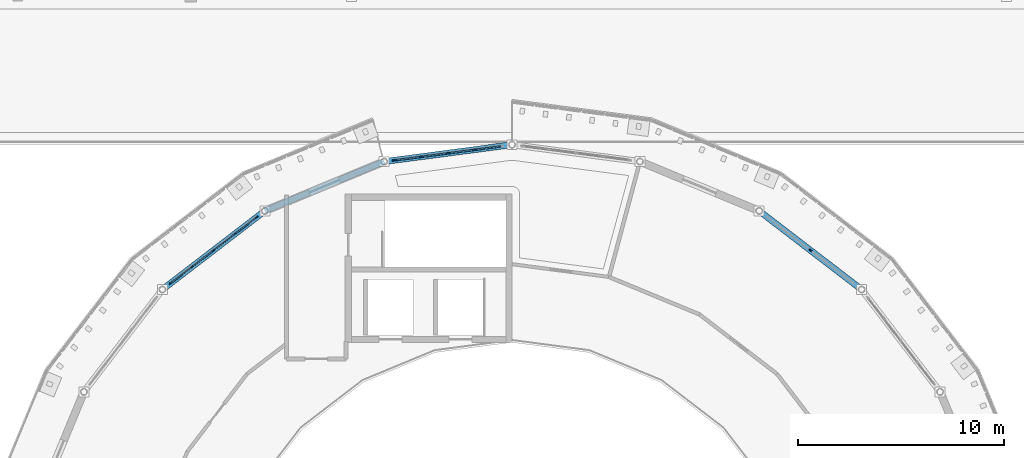
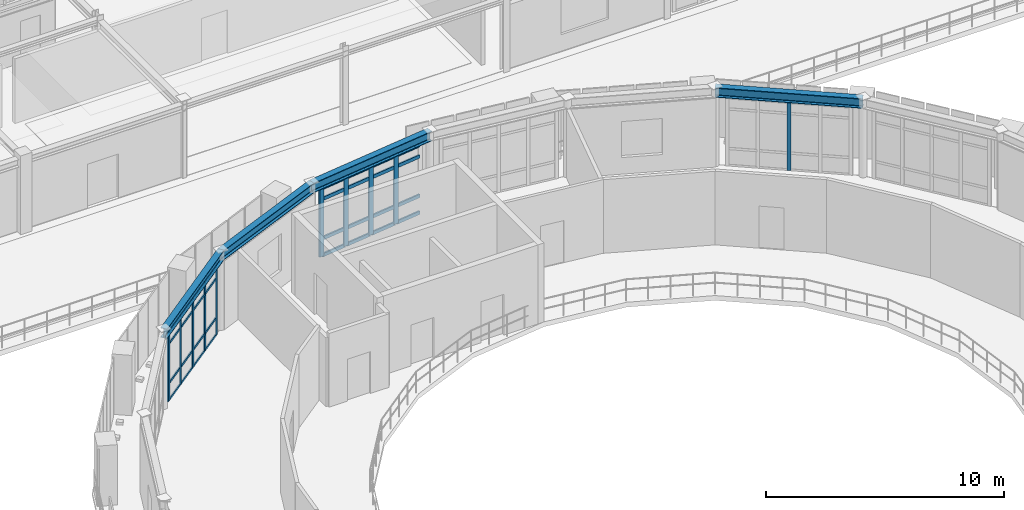
# One storey, part 25 of 58: 42 members, 4 beams, 3 elements without a shape of their own.
"""IFC4 building model written with IfcOpenShell, lengths in metres."""

import ifcopenshell
import ifcopenshell.guid

model = None  # the IFC model being written
_history = None  # IfcOwnerHistory: only IFC2X3 demands one
_inside = {}  # id of a spatial element -> (the spatial element, [elements in it])
_under = {}  # id of a project, library or spatial element -> (it, [spatial elements below it])
_declared = {}  # id of a project -> (the project, [libraries it declares])
_typed = {}  # id of a type object -> (the type object, [elements of that type])
_made_of = {}  # id of a material, layer set ... -> (it, [elements and type objects made of it])


def new_model(schema):
    """Start an empty IFC model of exactly this schema.

    Asked for "IFC4X3", IfcOpenShell would pick the latest addendum, in which some entities
    have other attributes; the version numbers below select the first issue.
    IFC2X3 requires an IfcOwnerHistory on every rooted entity: one is made here for all.
    """
    global model, _history
    if schema == "IFC4X3":
        model = ifcopenshell.file(schema_version=(4, 3, 0, 0))
    else:
        model = ifcopenshell.file(schema=schema)
    _inside.clear()
    _under.clear()
    _declared.clear()
    _typed.clear()
    _made_of.clear()
    _history = None
    if model.schema == "IFC2X3":
        org = make("IfcOrganization", Name="unknown")
        user = make(
            "IfcPersonAndOrganization",
            ThePerson=make("IfcPerson", FamilyName="unknown"),
            TheOrganization=org,
        )
        app = make(
            "IfcApplication",
            ApplicationDeveloper=org,
            Version="unknown",
            ApplicationFullName="unknown",
            ApplicationIdentifier="unknown",
        )
        _history = make(
            "IfcOwnerHistory",
            OwningUser=user,
            OwningApplication=app,
            ChangeAction="ADDED",
            CreationDate=0,
        )
    return model


def make(cls, **values):
    """One entity of the class cls with the attributes given. An attribute that is None is left unset."""
    return model.create_entity(
        cls, **{name: value for name, value in values.items() if value is not None}
    )


def rooted(cls, **values):
    """An entity with a GlobalId (a new one), such as an element, a storey or a relation."""
    return make(cls, GlobalId=ifcopenshell.guid.new(), OwnerHistory=_history, **values)


def si_unit(unit_type, name, prefix=None):
    """IfcSIUnit, for example si_unit("LENGTHUNIT", "METRE", prefix="MILLI")."""
    return make("IfcSIUnit", UnitType=unit_type, Prefix=prefix, Name=name)


def derived_unit(unit_type, elements):
    """IfcDerivedUnit: a product of units, each with its exponent."""
    return make(
        "IfcDerivedUnit",
        Elements=[
            make("IfcDerivedUnitElement", Unit=unit, Exponent=power)
            for unit, power in elements
        ],
        UnitType=unit_type,
    )


def assignment(units):
    """IfcUnitAssignment: the units of a project."""
    return None if units is None else make("IfcUnitAssignment", Units=units)


def point(xyz):
    """IfcCartesianPoint."""
    return None if xyz is None else make("IfcCartesianPoint", Coordinates=xyz)


def direction(xyz):
    """IfcDirection."""
    return None if xyz is None else make("IfcDirection", DirectionRatios=xyz)


def frame(location, z_axis=None, x_axis=None):
    """IfcAxis2Placement3D, a coordinate frame: its origin and axes. An axis left out is left unset."""
    return make(
        "IfcAxis2Placement3D",
        Location=point(location),
        Axis=direction(z_axis),
        RefDirection=direction(x_axis),
    )


def frame_2d(location, x_axis=None):
    """IfcAxis2Placement2D, a coordinate frame in the plane: its origin and x axis."""
    return make(
        "IfcAxis2Placement2D", Location=point(location), RefDirection=direction(x_axis)
    )


def origin():
    """The frame at (0, 0, 0) with its axes left unset."""
    return frame((0.0, 0.0, 0.0))


def origin_2d():
    """The frame at (0, 0) in the plane with its x axis left unset."""
    return frame_2d((0.0, 0.0))


def place(relative_to, where):
    """IfcLocalPlacement: puts the frame where relative to a parent placement (None: the world)."""
    return make(
        "IfcLocalPlacement", PlacementRelTo=relative_to, RelativePlacement=where
    )


def context(
    kind, dimensions, precision=None, world=None, true_north=None, identifier=None
):
    """IfcGeometricRepresentationContext, for example the 3D "Model" context."""
    return make(
        "IfcGeometricRepresentationContext",
        ContextIdentifier=identifier,
        ContextType=kind,
        CoordinateSpaceDimension=dimensions,
        Precision=precision,
        WorldCoordinateSystem=world,
        TrueNorth=true_north,
    )


def subcontext(parent, identifier, kind, view, scale=None):
    """IfcGeometricRepresentationSubContext, for example "Body" below "Model"."""
    return make(
        "IfcGeometricRepresentationSubContext",
        ContextIdentifier=identifier,
        ContextType=kind,
        ParentContext=parent,
        TargetScale=scale,
        TargetView=view,
    )


def project(units=None, contexts=None):
    """IfcProject with its units and contexts."""
    return rooted(
        "IfcProject",
        Name="project",
        RepresentationContexts=contexts,
        UnitsInContext=assignment(units),
    )


def spatial(cls, under=None, at=None, **own):
    """A site, building, storey or space (cls), placed at a placement, below another one or the project."""
    s = rooted(cls, ObjectPlacement=at, **own)
    if under is not None:
        _under.setdefault(under.id(), (under, []))[1].append(s)
    return s


def profile(cls, at=None, kind="AREA", **sizes):
    """A parametric profile (cls). Its sizes go by their IFC names, for example OverallWidth=200.0."""
    return make(cls, ProfileType=kind, Position=at, **sizes)


def rectangle(**sizes):
    """IfcRectangleProfileDef."""
    return profile("IfcRectangleProfileDef", **sizes)


def i_section(**sizes):
    """IfcIShapeProfileDef."""
    return profile("IfcIShapeProfileDef", **sizes)


def extrude(swept, where, along, depth):
    """IfcExtrudedAreaSolid: the profile swept, set in the frame where, extruded along a direction by depth."""
    return make(
        "IfcExtrudedAreaSolid",
        SweptArea=swept,
        Position=where,
        ExtrudedDirection=direction(along),
        Depth=depth,
    )


def shape(context_of_items, identifier, shape_type, items):
    """IfcShapeRepresentation: the items that make up one representation, for example the "Body"."""
    return make(
        "IfcShapeRepresentation",
        ContextOfItems=context_of_items,
        RepresentationIdentifier=identifier,
        RepresentationType=shape_type,
        Items=items,
    )


def material(Name=None, Category=None):
    """IfcMaterial."""
    return make("IfcMaterial", Name=Name, Category=Category)


def layer(
    of_material, thickness, ventilated=None, Name=None, Category=None, Priority=None
):
    """IfcMaterialLayer: one layer of a wall or slab, of a material (None: an air gap)."""
    return make(
        "IfcMaterialLayer",
        Material=of_material,
        LayerThickness=thickness,
        IsVentilated=ventilated,
        Name=Name,
        Category=Category,
        Priority=Priority,
    )


def layer_set(layers, Name=None):
    """IfcMaterialLayerSet."""
    return make("IfcMaterialLayerSet", MaterialLayers=layers, LayerSetName=Name)


def material_profile(
    of_material, cross_section, Name=None, Category=None, Priority=None
):
    """IfcMaterialProfile: a cross section and its material."""
    return make(
        "IfcMaterialProfile",
        Name=Name,
        Material=of_material,
        Profile=cross_section,
        Priority=Priority,
        Category=Category,
    )


def profile_set(profiles, Name=None, composite=None):
    """IfcMaterialProfileSet."""
    return make(
        "IfcMaterialProfileSet",
        Name=Name,
        MaterialProfiles=profiles,
        CompositeProfile=composite,
    )


def made_of(thing, what):
    """Note that an element or type object is made of a material, layer set ...; save() writes the relation."""
    if what is not None:
        _made_of.setdefault(what.id(), (what, []))[1].append(thing)
    return thing


def type_object(cls, material=None, **own):
    """A type object (cls), such as IfcWallType, which elements share."""
    return made_of(rooted(cls, **own), material)


def element(
    cls,
    number,
    at=None,
    inside=None,
    cuts=None,
    type_object=None,
    material=None,
    context=None,
    identifier="Body",
    shape_type=None,
    held_by="IfcProductDefinitionShape",
    body=None,
    shapes=None,
    **own,
):
    """One element of the class cls, such as IfcWall. Its Tag is "e" and its number.

    at: its placement. inside: the storey or other place that contains it. cuts: it is an
    opening in that element (IfcRelVoidsElement). A single representation is given by context,
    identifier, shape_type and body (its items); several are given by shapes. held_by: the class
    of the entity that holds the representations. save() writes the other relations.
    """
    e = rooted(cls, Tag="e%d" % number, ObjectPlacement=at, **own)
    if body is not None:
        shapes = [shape(context, identifier, shape_type, body)]
    if shapes is not None:
        e.Representation = make(held_by, Representations=shapes)
    if inside is not None:
        _inside.setdefault(inside.id(), (inside, []))[1].append(e)
    if cuts is not None:
        rooted(
            "IfcRelVoidsElement", RelatingBuildingElement=cuts, RelatedOpeningElement=e
        )
    if type_object is not None:
        _typed.setdefault(type_object.id(), (type_object, []))[1].append(e)
    return made_of(e, material)


def aggregate(whole, parts):
    """IfcRelAggregates: a whole, such as a stair, and the parts it consists of."""
    return rooted("IfcRelAggregates", RelatingObject=whole, RelatedObjects=parts)


def save(model, path):
    """Write the relations noted so far, then the file.

    IfcRelAggregates (storeys below a building ...), IfcRelContainedInSpatialStructure (elements
    in a storey), IfcRelDefinesByType, IfcRelAssociatesMaterial and IfcRelDeclares: one each for
    every whole, place, type object, material and project.
    """
    for whole, parts in _under.values():
        aggregate(whole, parts)
    for where, things in _inside.values():
        rooted(
            "IfcRelContainedInSpatialStructure",
            RelatedElements=things,
            RelatingStructure=where,
        )
    for kind, things in _typed.values():
        rooted("IfcRelDefinesByType", RelatedObjects=things, RelatingType=kind)
    for what, things in _made_of.values():
        rooted("IfcRelAssociatesMaterial", RelatedObjects=things, RelatingMaterial=what)
    for by, libraries in _declared.values():
        rooted("IfcRelDeclares", RelatingContext=by, RelatedDefinitions=libraries)
    model.write(path)


model = new_model("IFC4")

# Units and contexts
model_context = context("Model", 3, precision=1e-05, world=origin(), true_north=direction((0.0, 1.0)))
body_context = subcontext(model_context, "Body", "Model", "MODEL_VIEW")
ifc_project = project(units=[si_unit("LENGTHUNIT", "METRE"), si_unit("AREAUNIT", "SQUARE_METRE"), si_unit("VOLUMEUNIT", "CUBIC_METRE"), si_unit("PLANEANGLEUNIT", "RADIAN"), si_unit("MASSUNIT", "GRAM", prefix="KILO"), derived_unit("THERMALTRANSMITTANCEUNIT", [(si_unit("POWERUNIT", "WATT"), 1), (si_unit("AREAUNIT", "SQUARE_METRE"), -1), (si_unit("THERMODYNAMICTEMPERATUREUNIT", "KELVIN"), -1)])], contexts=[model_context])

# Site, building, storey
site_placement = place(None, origin())
site = spatial("IfcSite", under=ifc_project, at=site_placement, CompositionType="ELEMENT")
building_placement = place(site_placement, origin())
building = spatial("IfcBuilding", under=site, at=building_placement, Name="Yasenodar Specialist Clinic", CompositionType="ELEMENT")
storey_placement = place(building_placement, frame((0.0, 0.0, 17.25)))
storey = spatial("IfcBuildingStorey", under=building, at=storey_placement, Name="L04", CompositionType="ELEMENT", Elevation=17.25)

# Beams
ifc_material_1 = material(Name="Steel S355", Category="steel")
ifc_material_profile_1 = material_profile(ifc_material_1, i_section(OverallWidth=0.300048828125, OverallDepth=0.5, WebThickness=0.014404296875, FlangeThickness=0.028076171875, FilletRadius=0.027099609375, at=origin_2d()), Name="HEB 500")
ifc_profile_set_1 = profile_set([ifc_material_profile_1], Name="Steel S355")
beam_type = type_object("IfcBeamType", Name="BM-HEB500", PredefinedType="BEAM", material=ifc_profile_set_1)
for number, where, z_axis, x_axis, name in (
    (1, (97.970703125, 75.7705078125, 3.800048828125), (-0.793349152542, 0.608766886551, 0.0), (-0.608766886551, -0.793349152542, 0.0), "L04 Drum V1 Roof Ring Beam"),
    (2, (81.0, 82.800048828125, 3.800048828125), (-0.991443018138, -0.130540192224, 0.0), (0.130540192224, -0.991443018138, 0.0), "L04 Drum V1 Roof Ring Beam"),
):
    element("IfcBeam", number, at=place(storey_placement, frame(where, z_axis=z_axis, x_axis=x_axis)), inside=storey, type_object=beam_type, Name=name, PredefinedType="BEAM", context=body_context, shape_type="SweptSolid", body=[
        extrude(i_section(OverallWidth=0.300048828125, OverallDepth=0.5, WebThickness=0.014404296875, FlangeThickness=0.028076171875, FilletRadius=0.027099609375, at=origin_2d()), origin(), (0.0, 0.0, 1.0), 6.265380859375),
    ])
beam_1_placement = place(storey_placement, frame((74.788330078125, 81.982177734375, 3.800048828125), z_axis=(-0.9238876519, -0.382663829839, 0.0), x_axis=(0.382663829839, -0.9238876519, 0.0)))
element("IfcBeam", 3, at=beam_1_placement, inside=storey, type_object=beam_type, Name="L04 Drum V1 Roof Ring Beam", PredefinedType="BEAM", context=body_context, shape_type="SweptSolid", body=[
    extrude(i_section(OverallWidth=0.300048828125, OverallDepth=0.5, WebThickness=0.014404296875, FlangeThickness=0.028076171875, FilletRadius=0.027099609375, at=origin_2d()), origin(), (0.0, 0.0, 1.0), 6.26513671875),
])
beam_2_placement = place(storey_placement, frame((69.0, 79.584716796875, 3.800048828125), z_axis=(-0.793349152542, -0.608766886551, 0.0), x_axis=(0.608766886551, -0.793349152542, 0.0)))
element("IfcBeam", 4, at=beam_2_placement, inside=storey, type_object=beam_type, Name="L04 Drum V1 Roof Ring Beam", PredefinedType="BEAM", context=body_context, shape_type="SweptSolid", body=[
    extrude(i_section(OverallWidth=0.300048828125, OverallDepth=0.5, WebThickness=0.014404296875, FlangeThickness=0.028076171875, FilletRadius=0.027099609375, at=origin_2d()), origin(), (0.0, 0.0, 1.0), 6.265380859375),
])

# Curtain wall, member
ifc_material_2 = material(Name="Bronze Anodized Aluminium and Triple Low-E Glass", Category="aluminium")
ifc_layer = layer(ifc_material_2, 0.1669921875)
ifc_layer_set = layer_set([ifc_layer], Name="Bronze Anodized Aluminium and Triple Low-E Glass")
curtain_wall_type = type_object("IfcCurtainWallType", Name="CW-SYS-01", PredefinedType="USERDEFINED", material=ifc_layer_set)
curtain_wall_1_placement = place(storey_placement, origin())
curtain_wall_1 = element("IfcCurtainWall", 5, at=curtain_wall_1_placement, inside=storey, type_object=curtain_wall_type, Name="L04 Unitised Curtain Wall 058", ObjectType="UNITISED CURTAIN WALL", PredefinedType="USERDEFINED")
ifc_material_3 = material(Name="Bronze Anodized Aluminium", Category="aluminium")
ifc_material_profile_2 = material_profile(ifc_material_3, rectangle(XDim=0.06005859375, YDim=0.159912109375, at=origin_2d()), Name="CW-MULL 60x160")
ifc_profile_set_2 = profile_set([ifc_material_profile_2], Name="Bronze Anodized Aluminium")
member_type_1 = type_object("IfcMemberType", Name="CW-MULL-160", PredefinedType="MULLION", material=ifc_profile_set_2)
member_1_placement = place(storey_placement, frame((95.4853515625, 77.677490234375, 0.0), z_axis=(0.0, 0.0, 1.0), x_axis=(0.608752021844, 0.793360558574, 0.0)))
member_1 = element("IfcMember", 6, at=member_1_placement, type_object=member_type_1, Name="CW-01 mullion 3", PredefinedType="MULLION", context=body_context, shape_type="SweptSolid", body=[
    extrude(rectangle(XDim=0.06005859375, YDim=0.159912109375, at=origin_2d()), origin(), (0.0, 0.0, 1.0), 3.528076171875),
])
aggregate(curtain_wall_1, [member_1])

# Curtain wall, members
curtain_wall_2_placement = place(storey_placement, origin())
curtain_wall_2 = element("IfcCurtainWall", 7, at=curtain_wall_2_placement, inside=storey, type_object=curtain_wall_type, Name="L04 Unitised Curtain Wall 061", ObjectType="UNITISED CURTAIN WALL", PredefinedType="USERDEFINED")
member_2_placement = place(storey_placement, frame((64.43408203125, 76.0810546875, 0.0), z_axis=(0.0, 0.0, 1.0), x_axis=(-0.608752021844, 0.793360558574, 0.0)))
member_2 = element("IfcMember", 8, at=member_2_placement, type_object=member_type_1, Name="CW-01 mullion 1", PredefinedType="MULLION", context=body_context, shape_type="SweptSolid", body=[
    extrude(rectangle(XDim=0.06005859375, YDim=0.159912109375, at=origin_2d()), origin(), (0.0, 0.0, 1.0), 3.528076171875),
])
member_3_placement = place(storey_placement, frame((65.46240234375, 76.8701171875, 0.0), z_axis=(0.0, 0.0, 1.0), x_axis=(-0.608752021844, 0.793360558574, 0.0)))
member_3 = element("IfcMember", 9, at=member_3_placement, type_object=member_type_1, Name="CW-01 mullion 2", PredefinedType="MULLION", context=body_context, shape_type="SweptSolid", body=[
    extrude(rectangle(XDim=0.06005859375, YDim=0.159912109375, at=origin_2d()), origin(), (0.0, 0.0, 1.0), 3.528076171875),
])
member_4_placement = place(storey_placement, frame((66.5146484375, 77.677490234375, 0.0), z_axis=(0.0, 0.0, 1.0), x_axis=(-0.608752021844, 0.793360558574, 0.0)))
member_4 = element("IfcMember", 10, at=member_4_placement, type_object=member_type_1, Name="CW-01 mullion 3", PredefinedType="MULLION", context=body_context, shape_type="SweptSolid", body=[
    extrude(rectangle(XDim=0.06005859375, YDim=0.159912109375, at=origin_2d()), origin(), (0.0, 0.0, 1.0), 3.528076171875),
])
member_5_placement = place(storey_placement, frame((67.56689453125, 78.485107421875, 0.0), z_axis=(0.0, 0.0, 1.0), x_axis=(-0.608752021844, 0.793360558574, 0.0)))
member_5 = element("IfcMember", 11, at=member_5_placement, type_object=member_type_1, Name="CW-01 mullion 4", PredefinedType="MULLION", context=body_context, shape_type="SweptSolid", body=[
    extrude(rectangle(XDim=0.06005859375, YDim=0.159912109375, at=origin_2d()), origin(), (0.0, 0.0, 1.0), 3.528076171875),
])
member_6_placement = place(storey_placement, frame((68.595458984375, 79.274169921875, 0.0), z_axis=(0.0, 0.0, 1.0), x_axis=(-0.608752021844, 0.793360558574, 0.0)))
member_6 = element("IfcMember", 12, at=member_6_placement, type_object=member_type_1, Name="CW-01 mullion 5", PredefinedType="MULLION", context=body_context, shape_type="SweptSolid", body=[
    extrude(rectangle(XDim=0.06005859375, YDim=0.159912109375, at=origin_2d()), origin(), (0.0, 0.0, 1.0), 3.528076171875),
])

curtain_wall_3_placement = place(storey_placement, origin())
curtain_wall_3 = element("IfcCurtainWall", 13, at=curtain_wall_3_placement, inside=storey, type_object=curtain_wall_type, Name="L04 Unitised Curtain Wall 060", ObjectType="UNITISED CURTAIN WALL", PredefinedType="USERDEFINED")
ifc_material_profile_3 = material_profile(ifc_material_3, rectangle(XDim=0.074951171875, YDim=0.22509765625, at=origin_2d()), Name="CW-MULL 75x225")
ifc_profile_set_3 = profile_set([ifc_material_profile_3], Name="Bronze Anodized Aluminium")
member_type_2 = type_object("IfcMemberType", Name="CW-MULL-225", PredefinedType="MULLION", material=ifc_profile_set_3)
member_7_placement = place(storey_placement, frame((75.30126953125, 82.0498046875, 0.0), z_axis=(0.0, 0.0, 1.0), x_axis=(-0.13051156024, 0.991446787601, 0.0)))
member_7 = element("IfcMember", 14, at=member_7_placement, type_object=member_type_2, Name="CW-01 mullion 1", PredefinedType="MULLION", context=body_context, shape_type="SweptSolid", body=[
    extrude(rectangle(XDim=0.074951171875, YDim=0.22509765625, at=origin_2d()), origin(), (0.0, 0.0, 1.0), 3.528076171875),
])
member_8_placement = place(storey_placement, frame((76.5791015625, 82.218017578125, 0.0), z_axis=(0.0, 0.0, 1.0), x_axis=(-0.13051156024, 0.991446787601, 0.0)))
member_8 = element("IfcMember", 15, at=member_8_placement, type_object=member_type_2, Name="CW-01 mullion 2", PredefinedType="MULLION", context=body_context, shape_type="SweptSolid", body=[
    extrude(rectangle(XDim=0.074951171875, YDim=0.22509765625, at=origin_2d()), origin(), (0.0, 0.0, 1.0), 3.528076171875),
])
member_9_placement = place(storey_placement, frame((77.89404296875, 82.39111328125, 0.0), z_axis=(0.0, 0.0, 1.0), x_axis=(-0.13051156024, 0.991446787601, 0.0)))
member_9 = element("IfcMember", 16, at=member_9_placement, type_object=member_type_2, Name="CW-01 mullion 3", PredefinedType="MULLION", context=body_context, shape_type="SweptSolid", body=[
    extrude(rectangle(XDim=0.074951171875, YDim=0.22509765625, at=origin_2d()), origin(), (0.0, 0.0, 1.0), 3.528076171875),
])
member_10_placement = place(storey_placement, frame((79.209228515625, 82.564208984375, 0.0), z_axis=(0.0, 0.0, 1.0), x_axis=(-0.13051156024, 0.991446787601, 0.0)))
member_10 = element("IfcMember", 17, at=member_10_placement, type_object=member_type_2, Name="CW-01 mullion 4", PredefinedType="MULLION", context=body_context, shape_type="SweptSolid", body=[
    extrude(rectangle(XDim=0.074951171875, YDim=0.22509765625, at=origin_2d()), origin(), (0.0, 0.0, 1.0), 3.528076171875),
])

# Member
ifc_material_profile_4 = material_profile(ifc_material_3, rectangle(XDim=0.06005859375, YDim=0.1201171875, at=origin_2d()), Name="CW-TRAN 60x120")
ifc_profile_set_4 = profile_set([ifc_material_profile_4], Name="Bronze Anodized Aluminium")
member_type_3 = type_object("IfcMemberType", Name="CW-TRAN-120", PredefinedType="USERDEFINED", material=ifc_profile_set_4)
member_11_placement = place(storey_placement, frame((64.457763671875, 76.099365234375, 0.030029296875), z_axis=(0.793364768151, 0.608746535642, 0.0), x_axis=(-0.608746535642, 0.793364768151, 0.0)))
member_11 = element("IfcMember", 18, at=member_11_placement, type_object=member_type_3, Name="CW-01 transom 1.1", ObjectType="TRANSOM", PredefinedType="USERDEFINED", context=body_context, shape_type="SweptSolid", body=[
    extrude(rectangle(XDim=0.06005859375, YDim=0.1201171875, at=origin_2d()), origin(), (0.0, 0.0, 1.0), 1.236572265625),
])

member_12_placement = place(storey_placement, frame((64.457763671875, 76.099365234375, 0.89990234375), z_axis=(0.793364768151, 0.608746535642, 0.0), x_axis=(-0.608746535642, 0.793364768151, 0.0)))
member_12 = element("IfcMember", 19, at=member_12_placement, type_object=member_type_3, Name="CW-01 transom 1.2", ObjectType="TRANSOM", PredefinedType="USERDEFINED", context=body_context, shape_type="SweptSolid", body=[
    extrude(rectangle(XDim=0.06005859375, YDim=0.1201171875, at=origin_2d()), origin(), (0.0, 0.0, 1.0), 1.236572265625),
])

member_13_placement = place(storey_placement, frame((64.457763671875, 76.099365234375, 2.927978515625), z_axis=(0.793364768151, 0.608746535642, 0.0), x_axis=(-0.608746535642, 0.793364768151, 0.0)))
member_13 = element("IfcMember", 20, at=member_13_placement, type_object=member_type_3, Name="CW-01 transom 1.3", ObjectType="TRANSOM", PredefinedType="USERDEFINED", context=body_context, shape_type="SweptSolid", body=[
    extrude(rectangle(XDim=0.06005859375, YDim=0.1201171875, at=origin_2d()), origin(), (0.0, 0.0, 1.0), 1.236572265625),
])

member_14_placement = place(storey_placement, frame((64.457763671875, 76.099365234375, 3.498046875), z_axis=(0.793364768151, 0.608746535642, 0.0), x_axis=(-0.608746535642, 0.793364768151, 0.0)))
member_14 = element("IfcMember", 21, at=member_14_placement, type_object=member_type_3, Name="CW-01 transom 1.4", ObjectType="TRANSOM", PredefinedType="USERDEFINED", context=body_context, shape_type="SweptSolid", body=[
    extrude(rectangle(XDim=0.06005859375, YDim=0.1201171875, at=origin_2d()), origin(), (0.0, 0.0, 1.0), 1.236572265625),
])

member_15_placement = place(storey_placement, frame((65.486328125, 76.888427734375, 0.030029296875), z_axis=(0.793311491475, 0.608815963567, 0.0), x_axis=(-0.608815963567, 0.793311491475, 0.0)))
member_15 = element("IfcMember", 22, at=member_15_placement, type_object=member_type_3, Name="CW-01 transom 2.1", ObjectType="TRANSOM", PredefinedType="USERDEFINED", context=body_context, shape_type="SweptSolid", body=[
    extrude(rectangle(XDim=0.06005859375, YDim=0.1201171875, at=origin_2d()), origin(), (0.0, 0.0, 1.0), 1.266357421875),
])

member_16_placement = place(storey_placement, frame((65.486328125, 76.888427734375, 0.89990234375), z_axis=(0.793311491475, 0.608815963567, 0.0), x_axis=(-0.608815963567, 0.793311491475, 0.0)))
member_16 = element("IfcMember", 23, at=member_16_placement, type_object=member_type_3, Name="CW-01 transom 2.2", ObjectType="TRANSOM", PredefinedType="USERDEFINED", context=body_context, shape_type="SweptSolid", body=[
    extrude(rectangle(XDim=0.06005859375, YDim=0.1201171875, at=origin_2d()), origin(), (0.0, 0.0, 1.0), 1.266357421875),
])

member_17_placement = place(storey_placement, frame((65.486328125, 76.888427734375, 2.927978515625), z_axis=(0.793311491475, 0.608815963567, 0.0), x_axis=(-0.608815963567, 0.793311491475, 0.0)))
member_17 = element("IfcMember", 24, at=member_17_placement, type_object=member_type_3, Name="CW-01 transom 2.3", ObjectType="TRANSOM", PredefinedType="USERDEFINED", context=body_context, shape_type="SweptSolid", body=[
    extrude(rectangle(XDim=0.06005859375, YDim=0.1201171875, at=origin_2d()), origin(), (0.0, 0.0, 1.0), 1.266357421875),
])

member_18_placement = place(storey_placement, frame((65.486328125, 76.888427734375, 3.498046875), z_axis=(0.793311491475, 0.608815963567, 0.0), x_axis=(-0.608815963567, 0.793311491475, 0.0)))
member_18 = element("IfcMember", 25, at=member_18_placement, type_object=member_type_3, Name="CW-01 transom 2.4", ObjectType="TRANSOM", PredefinedType="USERDEFINED", context=body_context, shape_type="SweptSolid", body=[
    extrude(rectangle(XDim=0.06005859375, YDim=0.1201171875, at=origin_2d()), origin(), (0.0, 0.0, 1.0), 1.266357421875),
])

member_19_placement = place(storey_placement, frame((66.53857421875, 77.69580078125, 0.030029296875), z_axis=(0.793311491475, 0.608815963567, 0.0), x_axis=(-0.608815963567, 0.793311491475, 0.0)))
member_19 = element("IfcMember", 26, at=member_19_placement, type_object=member_type_3, Name="CW-01 transom 3.1", ObjectType="TRANSOM", PredefinedType="USERDEFINED", context=body_context, shape_type="SweptSolid", body=[
    extrude(rectangle(XDim=0.06005859375, YDim=0.1201171875, at=origin_2d()), origin(), (0.0, 0.0, 1.0), 1.266357421875),
])

member_20_placement = place(storey_placement, frame((66.53857421875, 77.69580078125, 0.89990234375), z_axis=(0.793311491475, 0.608815963567, 0.0), x_axis=(-0.608815963567, 0.793311491475, 0.0)))
member_20 = element("IfcMember", 27, at=member_20_placement, type_object=member_type_3, Name="CW-01 transom 3.2", ObjectType="TRANSOM", PredefinedType="USERDEFINED", context=body_context, shape_type="SweptSolid", body=[
    extrude(rectangle(XDim=0.06005859375, YDim=0.1201171875, at=origin_2d()), origin(), (0.0, 0.0, 1.0), 1.266357421875),
])

member_21_placement = place(storey_placement, frame((66.53857421875, 77.69580078125, 2.927978515625), z_axis=(0.793311491475, 0.608815963567, 0.0), x_axis=(-0.608815963567, 0.793311491475, 0.0)))
member_21 = element("IfcMember", 28, at=member_21_placement, type_object=member_type_3, Name="CW-01 transom 3.3", ObjectType="TRANSOM", PredefinedType="USERDEFINED", context=body_context, shape_type="SweptSolid", body=[
    extrude(rectangle(XDim=0.06005859375, YDim=0.1201171875, at=origin_2d()), origin(), (0.0, 0.0, 1.0), 1.266357421875),
])

member_22_placement = place(storey_placement, frame((66.53857421875, 77.69580078125, 3.498046875), z_axis=(0.793311491475, 0.608815963567, 0.0), x_axis=(-0.608815963567, 0.793311491475, 0.0)))
member_22 = element("IfcMember", 29, at=member_22_placement, type_object=member_type_3, Name="CW-01 transom 3.4", ObjectType="TRANSOM", PredefinedType="USERDEFINED", context=body_context, shape_type="SweptSolid", body=[
    extrude(rectangle(XDim=0.06005859375, YDim=0.1201171875, at=origin_2d()), origin(), (0.0, 0.0, 1.0), 1.266357421875),
])

member_23_placement = place(storey_placement, frame((67.5908203125, 78.503173828125, 0.030029296875), z_axis=(0.793291580461, 0.608841907534, 0.0), x_axis=(-0.608841907534, 0.793291580461, 0.0)))
member_23 = element("IfcMember", 30, at=member_23_placement, type_object=member_type_3, Name="CW-01 transom 4.1", ObjectType="TRANSOM", PredefinedType="USERDEFINED", context=body_context, shape_type="SweptSolid", body=[
    extrude(rectangle(XDim=0.06005859375, YDim=0.1201171875, at=origin_2d()), origin(), (0.0, 0.0, 1.0), 1.236328125),
])

member_24_placement = place(storey_placement, frame((67.5908203125, 78.503173828125, 0.89990234375), z_axis=(0.793291580461, 0.608841907534, 0.0), x_axis=(-0.608841907534, 0.793291580461, 0.0)))
member_24 = element("IfcMember", 31, at=member_24_placement, type_object=member_type_3, Name="CW-01 transom 4.2", ObjectType="TRANSOM", PredefinedType="USERDEFINED", context=body_context, shape_type="SweptSolid", body=[
    extrude(rectangle(XDim=0.06005859375, YDim=0.1201171875, at=origin_2d()), origin(), (0.0, 0.0, 1.0), 1.236328125),
])

member_25_placement = place(storey_placement, frame((67.5908203125, 78.503173828125, 2.927978515625), z_axis=(0.793291580461, 0.608841907534, 0.0), x_axis=(-0.608841907534, 0.793291580461, 0.0)))
member_25 = element("IfcMember", 32, at=member_25_placement, type_object=member_type_3, Name="CW-01 transom 4.3", ObjectType="TRANSOM", PredefinedType="USERDEFINED", context=body_context, shape_type="SweptSolid", body=[
    extrude(rectangle(XDim=0.06005859375, YDim=0.1201171875, at=origin_2d()), origin(), (0.0, 0.0, 1.0), 1.236328125),
])

member_26_placement = place(storey_placement, frame((67.5908203125, 78.503173828125, 3.498046875), z_axis=(0.793291580461, 0.608841907534, 0.0), x_axis=(-0.608841907534, 0.793291580461, 0.0)))
member_26 = element("IfcMember", 33, at=member_26_placement, type_object=member_type_3, Name="CW-01 transom 4.4", ObjectType="TRANSOM", PredefinedType="USERDEFINED", context=body_context, shape_type="SweptSolid", body=[
    extrude(rectangle(XDim=0.06005859375, YDim=0.1201171875, at=origin_2d()), origin(), (0.0, 0.0, 1.0), 1.236328125),
])

aggregate(curtain_wall_2, [member_2, member_3, member_4, member_5, member_6, member_11, member_12, member_13, member_14, member_15, member_16, member_17, member_18, member_19, member_20, member_21, member_22, member_23, member_24, member_25, member_26])

ifc_material_profile_5 = material_profile(ifc_material_3, rectangle(XDim=0.074951171875, YDim=0.175048828125, at=origin_2d()), Name="CW-TRAN 75x175")
ifc_profile_set_5 = profile_set([ifc_material_profile_5], Name="Bronze Anodized Aluminium")
member_type_4 = type_object("IfcMemberType", Name="CW-TRAN-175", PredefinedType="USERDEFINED", material=ifc_profile_set_5)
member_27_placement = place(storey_placement, frame((75.338623046875, 82.0546875, 0.03759765625), z_axis=(0.991442652858, 0.130542966465, 0.0), x_axis=(-0.130542966465, 0.991442652858, 0.0)))
member_27 = element("IfcMember", 34, at=member_27_placement, type_object=member_type_4, Name="CW-01 transom 1.1", ObjectType="TRANSOM", PredefinedType="USERDEFINED", context=body_context, shape_type="SweptSolid", body=[
    extrude(rectangle(XDim=0.074951171875, YDim=0.175048828125, at=origin_2d()), origin(), (0.0, 0.0, 1.0), 1.2138671875),
])

member_28_placement = place(storey_placement, frame((75.338623046875, 82.0546875, 0.89990234375), z_axis=(0.991442652858, 0.130542966465, 0.0), x_axis=(-0.130542966465, 0.991442652858, 0.0)))
member_28 = element("IfcMember", 35, at=member_28_placement, type_object=member_type_4, Name="CW-01 transom 1.2", ObjectType="TRANSOM", PredefinedType="USERDEFINED", context=body_context, shape_type="SweptSolid", body=[
    extrude(rectangle(XDim=0.074951171875, YDim=0.175048828125, at=origin_2d()), origin(), (0.0, 0.0, 1.0), 1.2138671875),
])

member_29_placement = place(storey_placement, frame((75.338623046875, 82.0546875, 2.927978515625), z_axis=(0.991442652858, 0.130542966465, 0.0), x_axis=(-0.130542966465, 0.991442652858, 0.0)))
member_29 = element("IfcMember", 36, at=member_29_placement, type_object=member_type_4, Name="CW-01 transom 1.3", ObjectType="TRANSOM", PredefinedType="USERDEFINED", context=body_context, shape_type="SweptSolid", body=[
    extrude(rectangle(XDim=0.074951171875, YDim=0.175048828125, at=origin_2d()), origin(), (0.0, 0.0, 1.0), 1.2138671875),
])

member_30_placement = place(storey_placement, frame((75.338623046875, 82.0546875, 3.490478515625), z_axis=(0.991442652858, 0.130542966465, 0.0), x_axis=(-0.130542966465, 0.991442652858, 0.0)))
member_30 = element("IfcMember", 37, at=member_30_placement, type_object=member_type_4, Name="CW-01 transom 1.4", ObjectType="TRANSOM", PredefinedType="USERDEFINED", context=body_context, shape_type="SweptSolid", body=[
    extrude(rectangle(XDim=0.074951171875, YDim=0.175048828125, at=origin_2d()), origin(), (0.0, 0.0, 1.0), 1.2138671875),
])

member_31_placement = place(storey_placement, frame((76.616455078125, 82.222900390625, 0.03759765625), z_axis=(0.991443001264, 0.130540320379, 0.0), x_axis=(-0.130540320379, 0.991443001264, 0.0)))
member_31 = element("IfcMember", 38, at=member_31_placement, type_object=member_type_4, Name="CW-01 transom 2.1", ObjectType="TRANSOM", PredefinedType="USERDEFINED", context=body_context, shape_type="SweptSolid", body=[
    extrude(rectangle(XDim=0.074951171875, YDim=0.175048828125, at=origin_2d()), origin(), (0.0, 0.0, 1.0), 1.251220703125),
])

member_32_placement = place(storey_placement, frame((76.616455078125, 82.222900390625, 0.89990234375), z_axis=(0.991443001264, 0.130540320379, 0.0), x_axis=(-0.130540320379, 0.991443001264, 0.0)))
member_32 = element("IfcMember", 39, at=member_32_placement, type_object=member_type_4, Name="CW-01 transom 2.2", ObjectType="TRANSOM", PredefinedType="USERDEFINED", context=body_context, shape_type="SweptSolid", body=[
    extrude(rectangle(XDim=0.074951171875, YDim=0.175048828125, at=origin_2d()), origin(), (0.0, 0.0, 1.0), 1.251220703125),
])

member_33_placement = place(storey_placement, frame((76.616455078125, 82.222900390625, 2.927978515625), z_axis=(0.991443001264, 0.130540320379, 0.0), x_axis=(-0.130540320379, 0.991443001264, 0.0)))
member_33 = element("IfcMember", 40, at=member_33_placement, type_object=member_type_4, Name="CW-01 transom 2.3", ObjectType="TRANSOM", PredefinedType="USERDEFINED", context=body_context, shape_type="SweptSolid", body=[
    extrude(rectangle(XDim=0.074951171875, YDim=0.175048828125, at=origin_2d()), origin(), (0.0, 0.0, 1.0), 1.251220703125),
])

member_34_placement = place(storey_placement, frame((76.616455078125, 82.222900390625, 3.490478515625), z_axis=(0.991443001264, 0.130540320379, 0.0), x_axis=(-0.130540320379, 0.991443001264, 0.0)))
member_34 = element("IfcMember", 41, at=member_34_placement, type_object=member_type_4, Name="CW-01 transom 2.4", ObjectType="TRANSOM", PredefinedType="USERDEFINED", context=body_context, shape_type="SweptSolid", body=[
    extrude(rectangle(XDim=0.074951171875, YDim=0.175048828125, at=origin_2d()), origin(), (0.0, 0.0, 1.0), 1.251220703125),
])

member_35_placement = place(storey_placement, frame((77.931396484375, 82.39599609375, 0.03759765625), z_axis=(0.991443001264, 0.130540320379, 0.0), x_axis=(-0.130540320379, 0.991443001264, 0.0)))
member_35 = element("IfcMember", 42, at=member_35_placement, type_object=member_type_4, Name="CW-01 transom 3.1", ObjectType="TRANSOM", PredefinedType="USERDEFINED", context=body_context, shape_type="SweptSolid", body=[
    extrude(rectangle(XDim=0.074951171875, YDim=0.175048828125, at=origin_2d()), origin(), (0.0, 0.0, 1.0), 1.251220703125),
])

member_36_placement = place(storey_placement, frame((77.931396484375, 82.39599609375, 0.89990234375), z_axis=(0.991443001264, 0.130540320379, 0.0), x_axis=(-0.130540320379, 0.991443001264, 0.0)))
member_36 = element("IfcMember", 43, at=member_36_placement, type_object=member_type_4, Name="CW-01 transom 3.2", ObjectType="TRANSOM", PredefinedType="USERDEFINED", context=body_context, shape_type="SweptSolid", body=[
    extrude(rectangle(XDim=0.074951171875, YDim=0.175048828125, at=origin_2d()), origin(), (0.0, 0.0, 1.0), 1.251220703125),
])

member_37_placement = place(storey_placement, frame((77.931396484375, 82.39599609375, 2.927978515625), z_axis=(0.991443001264, 0.130540320379, 0.0), x_axis=(-0.130540320379, 0.991443001264, 0.0)))
member_37 = element("IfcMember", 44, at=member_37_placement, type_object=member_type_4, Name="CW-01 transom 3.3", ObjectType="TRANSOM", PredefinedType="USERDEFINED", context=body_context, shape_type="SweptSolid", body=[
    extrude(rectangle(XDim=0.074951171875, YDim=0.175048828125, at=origin_2d()), origin(), (0.0, 0.0, 1.0), 1.251220703125),
])

member_38_placement = place(storey_placement, frame((77.931396484375, 82.39599609375, 3.490478515625), z_axis=(0.991443001264, 0.130540320379, 0.0), x_axis=(-0.130540320379, 0.991443001264, 0.0)))
member_38 = element("IfcMember", 45, at=member_38_placement, type_object=member_type_4, Name="CW-01 transom 3.4", ObjectType="TRANSOM", PredefinedType="USERDEFINED", context=body_context, shape_type="SweptSolid", body=[
    extrude(rectangle(XDim=0.074951171875, YDim=0.175048828125, at=origin_2d()), origin(), (0.0, 0.0, 1.0), 1.251220703125),
])

member_39_placement = place(storey_placement, frame((79.246337890625, 82.569091796875, 0.03759765625), z_axis=(0.991442652858, 0.130542966465, 0.0), x_axis=(-0.130542966465, 0.991442652858, 0.0)))
member_39 = element("IfcMember", 46, at=member_39_placement, type_object=member_type_4, Name="CW-01 transom 4.1", ObjectType="TRANSOM", PredefinedType="USERDEFINED", context=body_context, shape_type="SweptSolid", body=[
    extrude(rectangle(XDim=0.074951171875, YDim=0.175048828125, at=origin_2d()), origin(), (0.0, 0.0, 1.0), 1.2138671875),
])

member_40_placement = place(storey_placement, frame((79.246337890625, 82.569091796875, 0.89990234375), z_axis=(0.991442652858, 0.130542966465, 0.0), x_axis=(-0.130542966465, 0.991442652858, 0.0)))
member_40 = element("IfcMember", 47, at=member_40_placement, type_object=member_type_4, Name="CW-01 transom 4.2", ObjectType="TRANSOM", PredefinedType="USERDEFINED", context=body_context, shape_type="SweptSolid", body=[
    extrude(rectangle(XDim=0.074951171875, YDim=0.175048828125, at=origin_2d()), origin(), (0.0, 0.0, 1.0), 1.2138671875),
])

member_41_placement = place(storey_placement, frame((79.246337890625, 82.569091796875, 2.927978515625), z_axis=(0.991442652858, 0.130542966465, 0.0), x_axis=(-0.130542966465, 0.991442652858, 0.0)))
member_41 = element("IfcMember", 48, at=member_41_placement, type_object=member_type_4, Name="CW-01 transom 4.3", ObjectType="TRANSOM", PredefinedType="USERDEFINED", context=body_context, shape_type="SweptSolid", body=[
    extrude(rectangle(XDim=0.074951171875, YDim=0.175048828125, at=origin_2d()), origin(), (0.0, 0.0, 1.0), 1.2138671875),
])

member_42_placement = place(storey_placement, frame((79.246337890625, 82.569091796875, 3.490478515625), z_axis=(0.991442652858, 0.130542966465, 0.0), x_axis=(-0.130542966465, 0.991442652858, 0.0)))
member_42 = element("IfcMember", 49, at=member_42_placement, type_object=member_type_4, Name="CW-01 transom 4.4", ObjectType="TRANSOM", PredefinedType="USERDEFINED", context=body_context, shape_type="SweptSolid", body=[
    extrude(rectangle(XDim=0.074951171875, YDim=0.175048828125, at=origin_2d()), origin(), (0.0, 0.0, 1.0), 1.2138671875),
])

aggregate(curtain_wall_3, [member_7, member_8, member_9, member_10, member_27, member_28, member_29, member_30, member_31, member_32, member_33, member_34, member_35, member_36, member_37, member_38, member_39, member_40, member_41, member_42])

save(model, "model.ifc")
